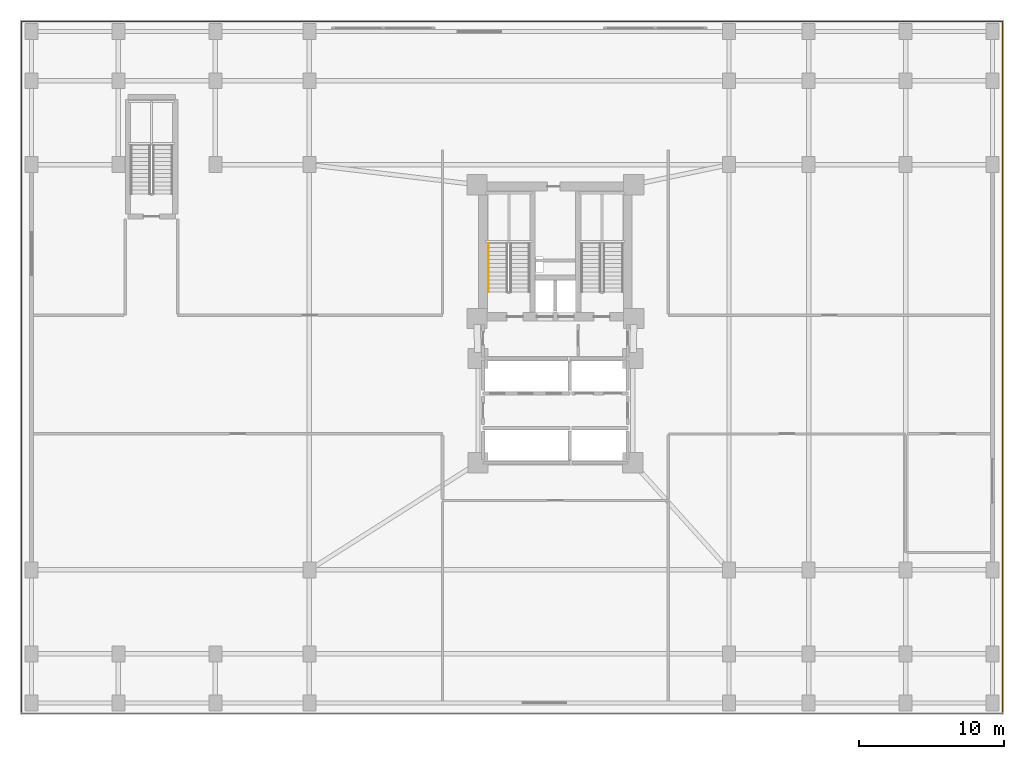
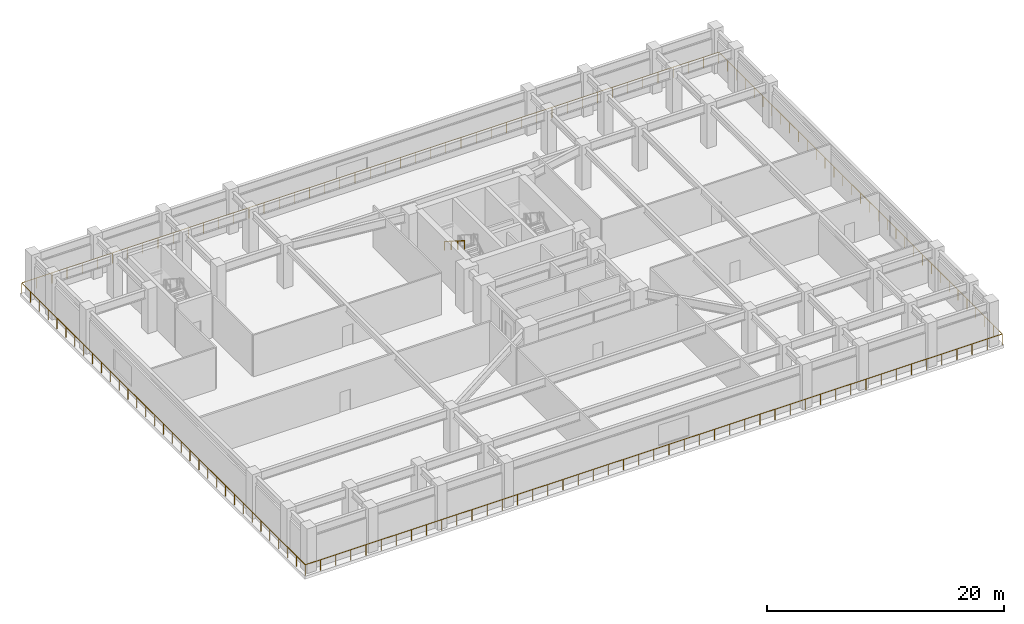
# One storey, part 11 of 12: 2 railings.
"""IFC4 building model written with IfcOpenShell, lengths in metres."""

from ifc_helpers import new_model, si_unit, direction, frame, origin, origin_2d, place, context, subcontext, project, spatial, rectangle, extrude, material, type_object, element, save


model = new_model("IFC4")

# Units and contexts
model_context = context("Model", 3, precision=1e-05, world=origin(), true_north=direction((0.0, 1.0)))
body_context = subcontext(model_context, "Body", "Model", "MODEL_VIEW")
ifc_project = project(units=[si_unit("LENGTHUNIT", "METRE"), si_unit("AREAUNIT", "SQUARE_METRE"), si_unit("VOLUMEUNIT", "CUBIC_METRE"), si_unit("PLANEANGLEUNIT", "RADIAN"), si_unit("MASSUNIT", "GRAM", prefix="KILO")], contexts=[model_context])

# Site, building, storey
site_placement = place(None, origin())
site = spatial("IfcSite", under=ifc_project, at=site_placement, CompositionType="ELEMENT")
building_placement = place(site_placement, origin())
building = spatial("IfcBuilding", under=site, at=building_placement, Name="Varnakorn Sky Granary", CompositionType="ELEMENT")
storey_placement = place(building_placement, frame((0.0, 0.0, 4.60009765625)))
storey = spatial("IfcBuildingStorey", under=building, at=storey_placement, Name="L01", CompositionType="ELEMENT", Elevation=4.60009765625)

# Railings
ifc_material_1 = material(Name="Anodised Bronze Aluminium Alloy 6063-T6", Category="aluminium")
railing_type_1 = type_object("IfcRailingType", Name="RL-BAL-1120", PredefinedType="BALUSTRADE", material=ifc_material_1)
railing_1_placement = place(storey_placement, frame((-33.89990234375, -23.89990234375, 0.0)))
element("IfcRailing", 1, at=railing_1_placement, inside=storey, type_object=railing_type_1, Name="Podium Slab Edge Safety Guard L01", PredefinedType="BALUSTRADE", context=body_context, shape_type="SweptSolid", body=[
    extrude(rectangle(XDim=0.048095703125, YDim=0.048095703125, at=origin_2d()), frame((0.028076171875, 0.0, 1.09619140625), z_axis=(1.0, 0.0, 0.0), x_axis=(0.0, 1.0, 0.0)), (0.0, 0.0, 1.0), 67.743896484375),
    extrude(rectangle(XDim=0.048095703125, YDim=0.048095703125, at=origin_2d()), frame((67.7998046875, 0.028076171875, 1.09619140625), z_axis=(0.0, 1.0, 0.0), x_axis=(-1.0, 0.0, 0.0)), (0.0, 0.0, 1.0), 47.743896484375),
    extrude(rectangle(XDim=0.048095703125, YDim=0.048095703125, at=origin_2d()), frame((67.771728515625, 47.7998046875, 1.09619140625), z_axis=(-1.0, 0.0, 0.0), x_axis=(0.0, -1.0, 0.0)), (0.0, 0.0, 1.0), 67.743896484375),
    extrude(rectangle(XDim=0.048095703125, YDim=0.048095703125, at=origin_2d()), frame((0.0, 47.771728515625, 1.09619140625), z_axis=(0.0, -1.0, 0.0), x_axis=(1.0, 0.0, 0.0)), (0.0, 0.0, 1.0), 47.743896484375),
    extrude(rectangle(XDim=0.0419921875, YDim=0.0419921875, at=origin_2d()), origin(), (0.0, 0.0, 1.0), 1.068115234375),
    extrude(rectangle(XDim=0.0419921875, YDim=0.0419921875, at=origin_2d()), frame((1.473876953125, 0.0, 0.0)), (0.0, 0.0, 1.0), 1.068115234375),
    extrude(rectangle(XDim=0.0419921875, YDim=0.0419921875, at=origin_2d()), frame((2.94775390625, 0.0, 0.0)), (0.0, 0.0, 1.0), 1.068115234375),
    extrude(rectangle(XDim=0.0419921875, YDim=0.0419921875, at=origin_2d()), frame((4.421630859375, 0.0, 0.0)), (0.0, 0.0, 1.0), 1.068115234375),
    extrude(rectangle(XDim=0.0419921875, YDim=0.0419921875, at=origin_2d()), frame((5.895751953125, 0.0, 0.0)), (0.0, 0.0, 1.0), 1.068115234375),
    extrude(rectangle(XDim=0.0419921875, YDim=0.0419921875, at=origin_2d()), frame((7.36962890625, 0.0, 0.0)), (0.0, 0.0, 1.0), 1.068115234375),
    extrude(rectangle(XDim=0.0419921875, YDim=0.0419921875, at=origin_2d()), frame((8.843505859375, 0.0, 0.0)), (0.0, 0.0, 1.0), 1.068115234375),
    extrude(rectangle(XDim=0.0419921875, YDim=0.0419921875, at=origin_2d()), frame((10.3173828125, 0.0, 0.0)), (0.0, 0.0, 1.0), 1.068115234375),
    extrude(rectangle(XDim=0.0419921875, YDim=0.0419921875, at=origin_2d()), frame((11.791259765625, 0.0, 0.0)), (0.0, 0.0, 1.0), 1.068115234375),
    extrude(rectangle(XDim=0.0419921875, YDim=0.0419921875, at=origin_2d()), frame((13.26513671875, 0.0, 0.0)), (0.0, 0.0, 1.0), 1.068115234375),
    extrude(rectangle(XDim=0.0419921875, YDim=0.0419921875, at=origin_2d()), frame((14.739013671875, 0.0, 0.0)), (0.0, 0.0, 1.0), 1.068115234375),
    extrude(rectangle(XDim=0.0419921875, YDim=0.0419921875, at=origin_2d()), frame((16.212890625, 0.0, 0.0)), (0.0, 0.0, 1.0), 1.068115234375),
    extrude(rectangle(XDim=0.0419921875, YDim=0.0419921875, at=origin_2d()), frame((17.68701171875, 0.0, 0.0)), (0.0, 0.0, 1.0), 1.068115234375),
    extrude(rectangle(XDim=0.0419921875, YDim=0.0419921875, at=origin_2d()), frame((19.160888671875, 0.0, 0.0)), (0.0, 0.0, 1.0), 1.068115234375),
    extrude(rectangle(XDim=0.0419921875, YDim=0.0419921875, at=origin_2d()), frame((20.634765625, 0.0, 0.0)), (0.0, 0.0, 1.0), 1.068115234375),
    extrude(rectangle(XDim=0.0419921875, YDim=0.0419921875, at=origin_2d()), frame((22.108642578125, 0.0, 0.0)), (0.0, 0.0, 1.0), 1.068115234375),
    extrude(rectangle(XDim=0.0419921875, YDim=0.0419921875, at=origin_2d()), frame((23.58251953125, 0.0, 0.0)), (0.0, 0.0, 1.0), 1.068115234375),
    extrude(rectangle(XDim=0.0419921875, YDim=0.0419921875, at=origin_2d()), frame((25.056396484375, 0.0, 0.0)), (0.0, 0.0, 1.0), 1.068115234375),
    extrude(rectangle(XDim=0.0419921875, YDim=0.0419921875, at=origin_2d()), frame((26.5302734375, 0.0, 0.0)), (0.0, 0.0, 1.0), 1.068115234375),
    extrude(rectangle(XDim=0.0419921875, YDim=0.0419921875, at=origin_2d()), frame((28.004150390625, 0.0, 0.0)), (0.0, 0.0, 1.0), 1.068115234375),
    extrude(rectangle(XDim=0.0419921875, YDim=0.0419921875, at=origin_2d()), frame((29.478271484375, 0.0, 0.0)), (0.0, 0.0, 1.0), 1.068115234375),
    extrude(rectangle(XDim=0.0419921875, YDim=0.0419921875, at=origin_2d()), frame((30.9521484375, 0.0, 0.0)), (0.0, 0.0, 1.0), 1.068115234375),
    extrude(rectangle(XDim=0.0419921875, YDim=0.0419921875, at=origin_2d()), frame((32.426025390625, 0.0, 0.0)), (0.0, 0.0, 1.0), 1.068115234375),
    extrude(rectangle(XDim=0.0419921875, YDim=0.0419921875, at=origin_2d()), frame((33.89990234375, 0.0, 0.0)), (0.0, 0.0, 1.0), 1.068115234375),
    extrude(rectangle(XDim=0.0419921875, YDim=0.0419921875, at=origin_2d()), frame((35.373779296875, 0.0, 0.0)), (0.0, 0.0, 1.0), 1.068115234375),
    extrude(rectangle(XDim=0.0419921875, YDim=0.0419921875, at=origin_2d()), frame((36.84765625, 0.0, 0.0)), (0.0, 0.0, 1.0), 1.068115234375),
    extrude(rectangle(XDim=0.0419921875, YDim=0.0419921875, at=origin_2d()), frame((38.321533203125, 0.0, 0.0)), (0.0, 0.0, 1.0), 1.068115234375),
    extrude(rectangle(XDim=0.0419921875, YDim=0.0419921875, at=origin_2d()), frame((39.795654296875, 0.0, 0.0)), (0.0, 0.0, 1.0), 1.068115234375),
    extrude(rectangle(XDim=0.0419921875, YDim=0.0419921875, at=origin_2d()), frame((41.26953125, 0.0, 0.0)), (0.0, 0.0, 1.0), 1.068115234375),
    extrude(rectangle(XDim=0.0419921875, YDim=0.0419921875, at=origin_2d()), frame((42.743408203125, 0.0, 0.0)), (0.0, 0.0, 1.0), 1.068115234375),
    extrude(rectangle(XDim=0.0419921875, YDim=0.0419921875, at=origin_2d()), frame((44.21728515625, 0.0, 0.0)), (0.0, 0.0, 1.0), 1.068115234375),
    extrude(rectangle(XDim=0.0419921875, YDim=0.0419921875, at=origin_2d()), frame((45.691162109375, 0.0, 0.0)), (0.0, 0.0, 1.0), 1.068115234375),
    extrude(rectangle(XDim=0.0419921875, YDim=0.0419921875, at=origin_2d()), frame((47.1650390625, 0.0, 0.0)), (0.0, 0.0, 1.0), 1.068115234375),
    extrude(rectangle(XDim=0.0419921875, YDim=0.0419921875, at=origin_2d()), frame((48.638916015625, 0.0, 0.0)), (0.0, 0.0, 1.0), 1.068115234375),
    extrude(rectangle(XDim=0.0419921875, YDim=0.0419921875, at=origin_2d()), frame((50.11279296875, 0.0, 0.0)), (0.0, 0.0, 1.0), 1.068115234375),
    extrude(rectangle(XDim=0.0419921875, YDim=0.0419921875, at=origin_2d()), frame((51.5869140625, 0.0, 0.0)), (0.0, 0.0, 1.0), 1.068115234375),
    extrude(rectangle(XDim=0.0419921875, YDim=0.0419921875, at=origin_2d()), frame((53.060791015625, 0.0, 0.0)), (0.0, 0.0, 1.0), 1.068115234375),
    extrude(rectangle(XDim=0.0419921875, YDim=0.0419921875, at=origin_2d()), frame((54.53466796875, 0.0, 0.0)), (0.0, 0.0, 1.0), 1.068115234375),
    extrude(rectangle(XDim=0.0419921875, YDim=0.0419921875, at=origin_2d()), frame((56.008544921875, 0.0, 0.0)), (0.0, 0.0, 1.0), 1.068115234375),
    extrude(rectangle(XDim=0.0419921875, YDim=0.0419921875, at=origin_2d()), frame((57.482421875, 0.0, 0.0)), (0.0, 0.0, 1.0), 1.068115234375),
    extrude(rectangle(XDim=0.0419921875, YDim=0.0419921875, at=origin_2d()), frame((58.956298828125, 0.0, 0.0)), (0.0, 0.0, 1.0), 1.068115234375),
    extrude(rectangle(XDim=0.0419921875, YDim=0.0419921875, at=origin_2d()), frame((60.43017578125, 0.0, 0.0)), (0.0, 0.0, 1.0), 1.068115234375),
    extrude(rectangle(XDim=0.0419921875, YDim=0.0419921875, at=origin_2d()), frame((61.904052734375, 0.0, 0.0)), (0.0, 0.0, 1.0), 1.068115234375),
    extrude(rectangle(XDim=0.0419921875, YDim=0.0419921875, at=origin_2d()), frame((63.378173828125, 0.0, 0.0)), (0.0, 0.0, 1.0), 1.068115234375),
    extrude(rectangle(XDim=0.0419921875, YDim=0.0419921875, at=origin_2d()), frame((64.85205078125, 0.0, 0.0)), (0.0, 0.0, 1.0), 1.068115234375),
    extrude(rectangle(XDim=0.0419921875, YDim=0.0419921875, at=origin_2d()), frame((66.325927734375, 0.0, 0.0)), (0.0, 0.0, 1.0), 1.068115234375),
    extrude(rectangle(XDim=0.0419921875, YDim=0.0419921875, at=origin_2d()), frame((67.7998046875, 0.0, 0.0)), (0.0, 0.0, 1.0), 1.068115234375),
    extrude(rectangle(XDim=0.0419921875, YDim=0.0419921875, at=origin_2d()), frame((67.7998046875, 1.49365234375, 0.0)), (0.0, 0.0, 1.0), 1.068115234375),
    extrude(rectangle(XDim=0.0419921875, YDim=0.0419921875, at=origin_2d()), frame((67.7998046875, 2.987548828125, 0.0)), (0.0, 0.0, 1.0), 1.068115234375),
    extrude(rectangle(XDim=0.0419921875, YDim=0.0419921875, at=origin_2d()), frame((67.7998046875, 4.481201171875, 0.0)), (0.0, 0.0, 1.0), 1.068115234375),
    extrude(rectangle(XDim=0.0419921875, YDim=0.0419921875, at=origin_2d()), frame((67.7998046875, 5.97509765625, 0.0)), (0.0, 0.0, 1.0), 1.068115234375),
    extrude(rectangle(XDim=0.0419921875, YDim=0.0419921875, at=origin_2d()), frame((67.7998046875, 7.46875, 0.0)), (0.0, 0.0, 1.0), 1.068115234375),
    extrude(rectangle(XDim=0.0419921875, YDim=0.0419921875, at=origin_2d()), frame((67.7998046875, 8.96240234375, 0.0)), (0.0, 0.0, 1.0), 1.068115234375),
    extrude(rectangle(XDim=0.0419921875, YDim=0.0419921875, at=origin_2d()), frame((67.7998046875, 10.456298828125, 0.0)), (0.0, 0.0, 1.0), 1.068115234375),
    extrude(rectangle(XDim=0.0419921875, YDim=0.0419921875, at=origin_2d()), frame((67.7998046875, 11.949951171875, 0.0)), (0.0, 0.0, 1.0), 1.068115234375),
    extrude(rectangle(XDim=0.0419921875, YDim=0.0419921875, at=origin_2d()), frame((67.7998046875, 13.443603515625, 0.0)), (0.0, 0.0, 1.0), 1.068115234375),
    extrude(rectangle(XDim=0.0419921875, YDim=0.0419921875, at=origin_2d()), frame((67.7998046875, 14.9375, 0.0)), (0.0, 0.0, 1.0), 1.068115234375),
    extrude(rectangle(XDim=0.0419921875, YDim=0.0419921875, at=origin_2d()), frame((67.7998046875, 16.43115234375, 0.0)), (0.0, 0.0, 1.0), 1.068115234375),
    extrude(rectangle(XDim=0.0419921875, YDim=0.0419921875, at=origin_2d()), frame((67.7998046875, 17.9248046875, 0.0)), (0.0, 0.0, 1.0), 1.068115234375),
    extrude(rectangle(XDim=0.0419921875, YDim=0.0419921875, at=origin_2d()), frame((67.7998046875, 19.418701171875, 0.0)), (0.0, 0.0, 1.0), 1.068115234375),
    extrude(rectangle(XDim=0.0419921875, YDim=0.0419921875, at=origin_2d()), frame((67.7998046875, 20.912353515625, 0.0)), (0.0, 0.0, 1.0), 1.068115234375),
    extrude(rectangle(XDim=0.0419921875, YDim=0.0419921875, at=origin_2d()), frame((67.7998046875, 22.40625, 0.0)), (0.0, 0.0, 1.0), 1.068115234375),
    extrude(rectangle(XDim=0.0419921875, YDim=0.0419921875, at=origin_2d()), frame((67.7998046875, 23.89990234375, 0.0)), (0.0, 0.0, 1.0), 1.068115234375),
    extrude(rectangle(XDim=0.0419921875, YDim=0.0419921875, at=origin_2d()), frame((67.7998046875, 25.3935546875, 0.0)), (0.0, 0.0, 1.0), 1.068115234375),
    extrude(rectangle(XDim=0.0419921875, YDim=0.0419921875, at=origin_2d()), frame((67.7998046875, 26.887451171875, 0.0)), (0.0, 0.0, 1.0), 1.068115234375),
    extrude(rectangle(XDim=0.0419921875, YDim=0.0419921875, at=origin_2d()), frame((67.7998046875, 28.381103515625, 0.0)), (0.0, 0.0, 1.0), 1.068115234375),
    extrude(rectangle(XDim=0.0419921875, YDim=0.0419921875, at=origin_2d()), frame((67.7998046875, 29.875, 0.0)), (0.0, 0.0, 1.0), 1.068115234375),
    extrude(rectangle(XDim=0.0419921875, YDim=0.0419921875, at=origin_2d()), frame((67.7998046875, 31.36865234375, 0.0)), (0.0, 0.0, 1.0), 1.068115234375),
    extrude(rectangle(XDim=0.0419921875, YDim=0.0419921875, at=origin_2d()), frame((67.7998046875, 32.8623046875, 0.0)), (0.0, 0.0, 1.0), 1.068115234375),
    extrude(rectangle(XDim=0.0419921875, YDim=0.0419921875, at=origin_2d()), frame((67.7998046875, 34.356201171875, 0.0)), (0.0, 0.0, 1.0), 1.068115234375),
    extrude(rectangle(XDim=0.0419921875, YDim=0.0419921875, at=origin_2d()), frame((67.7998046875, 35.849853515625, 0.0)), (0.0, 0.0, 1.0), 1.068115234375),
    extrude(rectangle(XDim=0.0419921875, YDim=0.0419921875, at=origin_2d()), frame((67.7998046875, 37.343505859375, 0.0)), (0.0, 0.0, 1.0), 1.068115234375),
    extrude(rectangle(XDim=0.0419921875, YDim=0.0419921875, at=origin_2d()), frame((67.7998046875, 38.83740234375, 0.0)), (0.0, 0.0, 1.0), 1.068115234375),
    extrude(rectangle(XDim=0.0419921875, YDim=0.0419921875, at=origin_2d()), frame((67.7998046875, 40.3310546875, 0.0)), (0.0, 0.0, 1.0), 1.068115234375),
    extrude(rectangle(XDim=0.0419921875, YDim=0.0419921875, at=origin_2d()), frame((67.7998046875, 41.82470703125, 0.0)), (0.0, 0.0, 1.0), 1.068115234375),
    extrude(rectangle(XDim=0.0419921875, YDim=0.0419921875, at=origin_2d()), frame((67.7998046875, 43.318603515625, 0.0)), (0.0, 0.0, 1.0), 1.068115234375),
    extrude(rectangle(XDim=0.0419921875, YDim=0.0419921875, at=origin_2d()), frame((67.7998046875, 44.812255859375, 0.0)), (0.0, 0.0, 1.0), 1.068115234375),
    extrude(rectangle(XDim=0.0419921875, YDim=0.0419921875, at=origin_2d()), frame((67.7998046875, 46.30615234375, 0.0)), (0.0, 0.0, 1.0), 1.068115234375),
    extrude(rectangle(XDim=0.0419921875, YDim=0.0419921875, at=origin_2d()), frame((67.7998046875, 47.7998046875, 0.0)), (0.0, 0.0, 1.0), 1.068115234375),
    extrude(rectangle(XDim=0.0419921875, YDim=0.0419921875, at=origin_2d()), frame((66.325927734375, 47.7998046875, 0.0)), (0.0, 0.0, 1.0), 1.068115234375),
    extrude(rectangle(XDim=0.0419921875, YDim=0.0419921875, at=origin_2d()), frame((64.85205078125, 47.7998046875, 0.0)), (0.0, 0.0, 1.0), 1.068115234375),
    extrude(rectangle(XDim=0.0419921875, YDim=0.0419921875, at=origin_2d()), frame((63.378173828125, 47.7998046875, 0.0)), (0.0, 0.0, 1.0), 1.068115234375),
    extrude(rectangle(XDim=0.0419921875, YDim=0.0419921875, at=origin_2d()), frame((61.904052734375, 47.7998046875, 0.0)), (0.0, 0.0, 1.0), 1.068115234375),
    extrude(rectangle(XDim=0.0419921875, YDim=0.0419921875, at=origin_2d()), frame((60.43017578125, 47.7998046875, 0.0)), (0.0, 0.0, 1.0), 1.068115234375),
    extrude(rectangle(XDim=0.0419921875, YDim=0.0419921875, at=origin_2d()), frame((58.956298828125, 47.7998046875, 0.0)), (0.0, 0.0, 1.0), 1.068115234375),
    extrude(rectangle(XDim=0.0419921875, YDim=0.0419921875, at=origin_2d()), frame((57.482421875, 47.7998046875, 0.0)), (0.0, 0.0, 1.0), 1.068115234375),
    extrude(rectangle(XDim=0.0419921875, YDim=0.0419921875, at=origin_2d()), frame((56.008544921875, 47.7998046875, 0.0)), (0.0, 0.0, 1.0), 1.068115234375),
    extrude(rectangle(XDim=0.0419921875, YDim=0.0419921875, at=origin_2d()), frame((54.53466796875, 47.7998046875, 0.0)), (0.0, 0.0, 1.0), 1.068115234375),
    extrude(rectangle(XDim=0.0419921875, YDim=0.0419921875, at=origin_2d()), frame((53.060791015625, 47.7998046875, 0.0)), (0.0, 0.0, 1.0), 1.068115234375),
    extrude(rectangle(XDim=0.0419921875, YDim=0.0419921875, at=origin_2d()), frame((51.5869140625, 47.7998046875, 0.0)), (0.0, 0.0, 1.0), 1.068115234375),
    extrude(rectangle(XDim=0.0419921875, YDim=0.0419921875, at=origin_2d()), frame((50.11279296875, 47.7998046875, 0.0)), (0.0, 0.0, 1.0), 1.068115234375),
    extrude(rectangle(XDim=0.0419921875, YDim=0.0419921875, at=origin_2d()), frame((48.638916015625, 47.7998046875, 0.0)), (0.0, 0.0, 1.0), 1.068115234375),
    extrude(rectangle(XDim=0.0419921875, YDim=0.0419921875, at=origin_2d()), frame((47.1650390625, 47.7998046875, 0.0)), (0.0, 0.0, 1.0), 1.068115234375),
    extrude(rectangle(XDim=0.0419921875, YDim=0.0419921875, at=origin_2d()), frame((45.691162109375, 47.7998046875, 0.0)), (0.0, 0.0, 1.0), 1.068115234375),
    extrude(rectangle(XDim=0.0419921875, YDim=0.0419921875, at=origin_2d()), frame((44.21728515625, 47.7998046875, 0.0)), (0.0, 0.0, 1.0), 1.068115234375),
    extrude(rectangle(XDim=0.0419921875, YDim=0.0419921875, at=origin_2d()), frame((42.743408203125, 47.7998046875, 0.0)), (0.0, 0.0, 1.0), 1.068115234375),
    extrude(rectangle(XDim=0.0419921875, YDim=0.0419921875, at=origin_2d()), frame((41.26953125, 47.7998046875, 0.0)), (0.0, 0.0, 1.0), 1.068115234375),
    extrude(rectangle(XDim=0.0419921875, YDim=0.0419921875, at=origin_2d()), frame((39.795654296875, 47.7998046875, 0.0)), (0.0, 0.0, 1.0), 1.068115234375),
    extrude(rectangle(XDim=0.0419921875, YDim=0.0419921875, at=origin_2d()), frame((38.321533203125, 47.7998046875, 0.0)), (0.0, 0.0, 1.0), 1.068115234375),
    extrude(rectangle(XDim=0.0419921875, YDim=0.0419921875, at=origin_2d()), frame((36.84765625, 47.7998046875, 0.0)), (0.0, 0.0, 1.0), 1.068115234375),
    extrude(rectangle(XDim=0.0419921875, YDim=0.0419921875, at=origin_2d()), frame((35.373779296875, 47.7998046875, 0.0)), (0.0, 0.0, 1.0), 1.068115234375),
    extrude(rectangle(XDim=0.0419921875, YDim=0.0419921875, at=origin_2d()), frame((33.89990234375, 47.7998046875, 0.0)), (0.0, 0.0, 1.0), 1.068115234375),
    extrude(rectangle(XDim=0.0419921875, YDim=0.0419921875, at=origin_2d()), frame((32.426025390625, 47.7998046875, 0.0)), (0.0, 0.0, 1.0), 1.068115234375),
    extrude(rectangle(XDim=0.0419921875, YDim=0.0419921875, at=origin_2d()), frame((30.9521484375, 47.7998046875, 0.0)), (0.0, 0.0, 1.0), 1.068115234375),
    extrude(rectangle(XDim=0.0419921875, YDim=0.0419921875, at=origin_2d()), frame((29.478271484375, 47.7998046875, 0.0)), (0.0, 0.0, 1.0), 1.068115234375),
    extrude(rectangle(XDim=0.0419921875, YDim=0.0419921875, at=origin_2d()), frame((28.004150390625, 47.7998046875, 0.0)), (0.0, 0.0, 1.0), 1.068115234375),
    extrude(rectangle(XDim=0.0419921875, YDim=0.0419921875, at=origin_2d()), frame((26.5302734375, 47.7998046875, 0.0)), (0.0, 0.0, 1.0), 1.068115234375),
    extrude(rectangle(XDim=0.0419921875, YDim=0.0419921875, at=origin_2d()), frame((25.056396484375, 47.7998046875, 0.0)), (0.0, 0.0, 1.0), 1.068115234375),
    extrude(rectangle(XDim=0.0419921875, YDim=0.0419921875, at=origin_2d()), frame((23.58251953125, 47.7998046875, 0.0)), (0.0, 0.0, 1.0), 1.068115234375),
    extrude(rectangle(XDim=0.0419921875, YDim=0.0419921875, at=origin_2d()), frame((22.108642578125, 47.7998046875, 0.0)), (0.0, 0.0, 1.0), 1.068115234375),
    extrude(rectangle(XDim=0.0419921875, YDim=0.0419921875, at=origin_2d()), frame((20.634765625, 47.7998046875, 0.0)), (0.0, 0.0, 1.0), 1.068115234375),
    extrude(rectangle(XDim=0.0419921875, YDim=0.0419921875, at=origin_2d()), frame((19.160888671875, 47.7998046875, 0.0)), (0.0, 0.0, 1.0), 1.068115234375),
    extrude(rectangle(XDim=0.0419921875, YDim=0.0419921875, at=origin_2d()), frame((17.68701171875, 47.7998046875, 0.0)), (0.0, 0.0, 1.0), 1.068115234375),
    extrude(rectangle(XDim=0.0419921875, YDim=0.0419921875, at=origin_2d()), frame((16.212890625, 47.7998046875, 0.0)), (0.0, 0.0, 1.0), 1.068115234375),
    extrude(rectangle(XDim=0.0419921875, YDim=0.0419921875, at=origin_2d()), frame((14.739013671875, 47.7998046875, 0.0)), (0.0, 0.0, 1.0), 1.068115234375),
    extrude(rectangle(XDim=0.0419921875, YDim=0.0419921875, at=origin_2d()), frame((13.26513671875, 47.7998046875, 0.0)), (0.0, 0.0, 1.0), 1.068115234375),
    extrude(rectangle(XDim=0.0419921875, YDim=0.0419921875, at=origin_2d()), frame((11.791259765625, 47.7998046875, 0.0)), (0.0, 0.0, 1.0), 1.068115234375),
    extrude(rectangle(XDim=0.0419921875, YDim=0.0419921875, at=origin_2d()), frame((10.3173828125, 47.7998046875, 0.0)), (0.0, 0.0, 1.0), 1.068115234375),
    extrude(rectangle(XDim=0.0419921875, YDim=0.0419921875, at=origin_2d()), frame((8.843505859375, 47.7998046875, 0.0)), (0.0, 0.0, 1.0), 1.068115234375),
    extrude(rectangle(XDim=0.0419921875, YDim=0.0419921875, at=origin_2d()), frame((7.36962890625, 47.7998046875, 0.0)), (0.0, 0.0, 1.0), 1.068115234375),
    extrude(rectangle(XDim=0.0419921875, YDim=0.0419921875, at=origin_2d()), frame((5.895751953125, 47.7998046875, 0.0)), (0.0, 0.0, 1.0), 1.068115234375),
    extrude(rectangle(XDim=0.0419921875, YDim=0.0419921875, at=origin_2d()), frame((4.421630859375, 47.7998046875, 0.0)), (0.0, 0.0, 1.0), 1.068115234375),
    extrude(rectangle(XDim=0.0419921875, YDim=0.0419921875, at=origin_2d()), frame((2.94775390625, 47.7998046875, 0.0)), (0.0, 0.0, 1.0), 1.068115234375),
    extrude(rectangle(XDim=0.0419921875, YDim=0.0419921875, at=origin_2d()), frame((1.473876953125, 47.7998046875, 0.0)), (0.0, 0.0, 1.0), 1.068115234375),
    extrude(rectangle(XDim=0.0419921875, YDim=0.0419921875, at=origin_2d()), frame((0.0, 47.7998046875, 0.0)), (0.0, 0.0, 1.0), 1.068115234375),
    extrude(rectangle(XDim=0.0419921875, YDim=0.0419921875, at=origin_2d()), frame((0.0, 46.30615234375, 0.0)), (0.0, 0.0, 1.0), 1.068115234375),
    extrude(rectangle(XDim=0.0419921875, YDim=0.0419921875, at=origin_2d()), frame((0.0, 44.812255859375, 0.0)), (0.0, 0.0, 1.0), 1.068115234375),
    extrude(rectangle(XDim=0.0419921875, YDim=0.0419921875, at=origin_2d()), frame((0.0, 43.318603515625, 0.0)), (0.0, 0.0, 1.0), 1.068115234375),
    extrude(rectangle(XDim=0.0419921875, YDim=0.0419921875, at=origin_2d()), frame((0.0, 41.82470703125, 0.0)), (0.0, 0.0, 1.0), 1.068115234375),
    extrude(rectangle(XDim=0.0419921875, YDim=0.0419921875, at=origin_2d()), frame((0.0, 40.3310546875, 0.0)), (0.0, 0.0, 1.0), 1.068115234375),
    extrude(rectangle(XDim=0.0419921875, YDim=0.0419921875, at=origin_2d()), frame((0.0, 38.83740234375, 0.0)), (0.0, 0.0, 1.0), 1.068115234375),
    extrude(rectangle(XDim=0.0419921875, YDim=0.0419921875, at=origin_2d()), frame((0.0, 37.343505859375, 0.0)), (0.0, 0.0, 1.0), 1.068115234375),
    extrude(rectangle(XDim=0.0419921875, YDim=0.0419921875, at=origin_2d()), frame((0.0, 35.849853515625, 0.0)), (0.0, 0.0, 1.0), 1.068115234375),
    extrude(rectangle(XDim=0.0419921875, YDim=0.0419921875, at=origin_2d()), frame((0.0, 34.356201171875, 0.0)), (0.0, 0.0, 1.0), 1.068115234375),
    extrude(rectangle(XDim=0.0419921875, YDim=0.0419921875, at=origin_2d()), frame((0.0, 32.8623046875, 0.0)), (0.0, 0.0, 1.0), 1.068115234375),
    extrude(rectangle(XDim=0.0419921875, YDim=0.0419921875, at=origin_2d()), frame((0.0, 31.36865234375, 0.0)), (0.0, 0.0, 1.0), 1.068115234375),
    extrude(rectangle(XDim=0.0419921875, YDim=0.0419921875, at=origin_2d()), frame((0.0, 29.875, 0.0)), (0.0, 0.0, 1.0), 1.068115234375),
    extrude(rectangle(XDim=0.0419921875, YDim=0.0419921875, at=origin_2d()), frame((0.0, 28.381103515625, 0.0)), (0.0, 0.0, 1.0), 1.068115234375),
    extrude(rectangle(XDim=0.0419921875, YDim=0.0419921875, at=origin_2d()), frame((0.0, 26.887451171875, 0.0)), (0.0, 0.0, 1.0), 1.068115234375),
    extrude(rectangle(XDim=0.0419921875, YDim=0.0419921875, at=origin_2d()), frame((0.0, 25.3935546875, 0.0)), (0.0, 0.0, 1.0), 1.068115234375),
    extrude(rectangle(XDim=0.0419921875, YDim=0.0419921875, at=origin_2d()), frame((0.0, 23.89990234375, 0.0)), (0.0, 0.0, 1.0), 1.068115234375),
    extrude(rectangle(XDim=0.0419921875, YDim=0.0419921875, at=origin_2d()), frame((0.0, 22.40625, 0.0)), (0.0, 0.0, 1.0), 1.068115234375),
    extrude(rectangle(XDim=0.0419921875, YDim=0.0419921875, at=origin_2d()), frame((0.0, 20.912353515625, 0.0)), (0.0, 0.0, 1.0), 1.068115234375),
    extrude(rectangle(XDim=0.0419921875, YDim=0.0419921875, at=origin_2d()), frame((0.0, 19.418701171875, 0.0)), (0.0, 0.0, 1.0), 1.068115234375),
    extrude(rectangle(XDim=0.0419921875, YDim=0.0419921875, at=origin_2d()), frame((0.0, 17.9248046875, 0.0)), (0.0, 0.0, 1.0), 1.068115234375),
    extrude(rectangle(XDim=0.0419921875, YDim=0.0419921875, at=origin_2d()), frame((0.0, 16.43115234375, 0.0)), (0.0, 0.0, 1.0), 1.068115234375),
    extrude(rectangle(XDim=0.0419921875, YDim=0.0419921875, at=origin_2d()), frame((0.0, 14.9375, 0.0)), (0.0, 0.0, 1.0), 1.068115234375),
    extrude(rectangle(XDim=0.0419921875, YDim=0.0419921875, at=origin_2d()), frame((0.0, 13.443603515625, 0.0)), (0.0, 0.0, 1.0), 1.068115234375),
    extrude(rectangle(XDim=0.0419921875, YDim=0.0419921875, at=origin_2d()), frame((0.0, 11.949951171875, 0.0)), (0.0, 0.0, 1.0), 1.068115234375),
    extrude(rectangle(XDim=0.0419921875, YDim=0.0419921875, at=origin_2d()), frame((0.0, 10.456298828125, 0.0)), (0.0, 0.0, 1.0), 1.068115234375),
    extrude(rectangle(XDim=0.0419921875, YDim=0.0419921875, at=origin_2d()), frame((0.0, 8.96240234375, 0.0)), (0.0, 0.0, 1.0), 1.068115234375),
    extrude(rectangle(XDim=0.0419921875, YDim=0.0419921875, at=origin_2d()), frame((0.0, 7.46875, 0.0)), (0.0, 0.0, 1.0), 1.068115234375),
    extrude(rectangle(XDim=0.0419921875, YDim=0.0419921875, at=origin_2d()), frame((0.0, 5.97509765625, 0.0)), (0.0, 0.0, 1.0), 1.068115234375),
    extrude(rectangle(XDim=0.0419921875, YDim=0.0419921875, at=origin_2d()), frame((0.0, 4.481201171875, 0.0)), (0.0, 0.0, 1.0), 1.068115234375),
    extrude(rectangle(XDim=0.0419921875, YDim=0.0419921875, at=origin_2d()), frame((0.0, 2.987548828125, 0.0)), (0.0, 0.0, 1.0), 1.068115234375),
    extrude(rectangle(XDim=0.0419921875, YDim=0.0419921875, at=origin_2d()), frame((0.0, 1.49365234375, 0.0)), (0.0, 0.0, 1.0), 1.068115234375),
])
ifc_material_2 = material(Name="Brushed Stainless Steel 316", Category="steel")
railing_type_2 = type_object("IfcRailingType", Name="RL-STAIR-920", PredefinedType="HANDRAIL", material=ifc_material_2)
railing_2_placement = place(storey_placement, frame((-1.6201171875, 8.56005859375, 2.476806640625)))
element("IfcRailing", 2, at=railing_2_placement, inside=storey, type_object=railing_type_2, Name="L01 ST-1 stair handrail 2", PredefinedType="HANDRAIL", context=body_context, shape_type="SweptSolid", body=[
    extrude(rectangle(XDim=0.048095703125, YDim=0.048095703125, at=origin_2d()), frame((0.0, 0.0, 0.8759765625), z_axis=(0.0, -0.845389635667, 0.534150132366), x_axis=(1.0, 0.0, 0.0)), (0.0, 0.0, 1.0), 3.974609375),
    extrude(rectangle(XDim=0.0419921875, YDim=0.0419921875, at=origin_2d()), origin(), (0.0, 0.0, 1.0), 0.847900390625),
    extrude(rectangle(XDim=0.0419921875, YDim=0.0419921875, at=origin_2d()), frame((0.0, -1.1201171875, 0.707763671875)), (0.0, 0.0, 1.0), 0.847900390625),
    extrude(rectangle(XDim=0.0419921875, YDim=0.0419921875, at=origin_2d()), frame((0.0, -2.239990234375, 1.415283203125)), (0.0, 0.0, 1.0), 0.847900390625),
    extrude(rectangle(XDim=0.0419921875, YDim=0.0419921875, at=origin_2d()), frame((0.0, -3.360107421875, 2.123046875)), (0.0, 0.0, 1.0), 0.847900390625),
])

save(model, "model.ifc")
